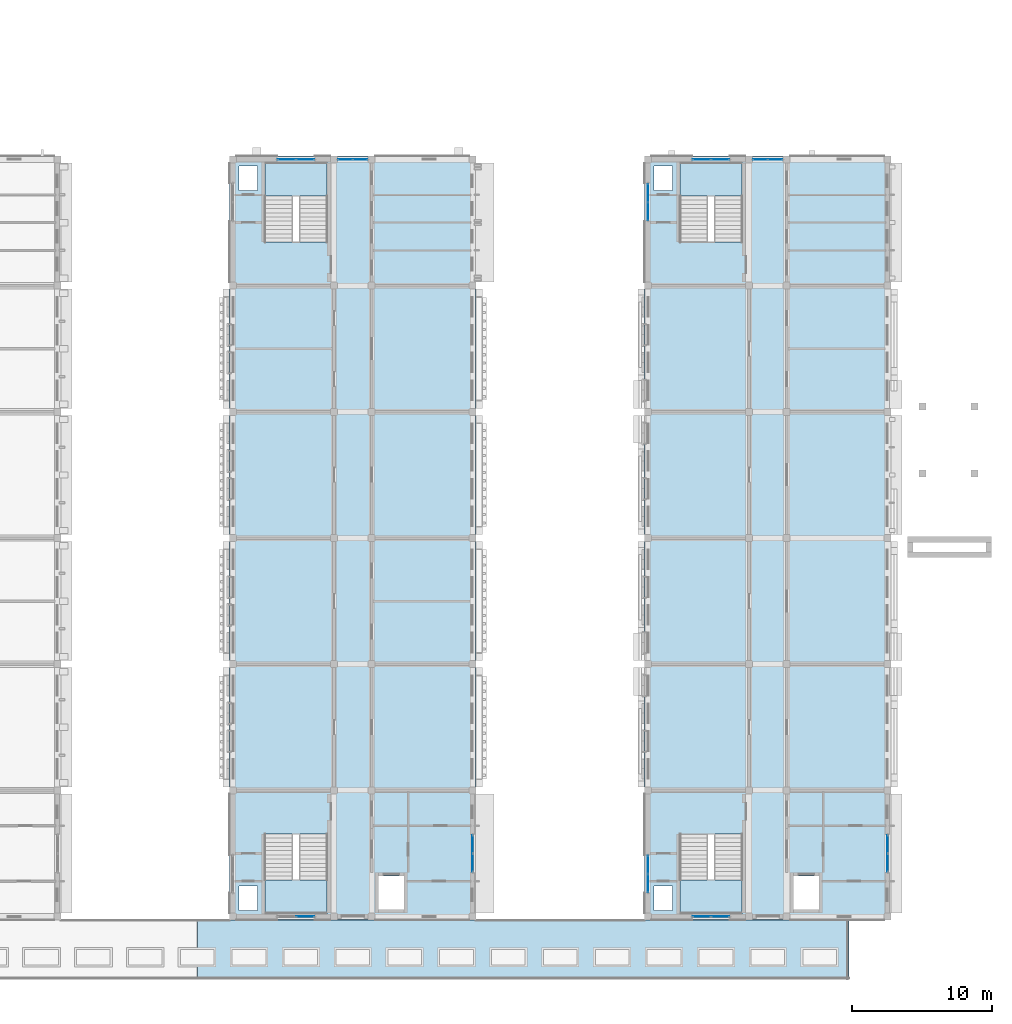
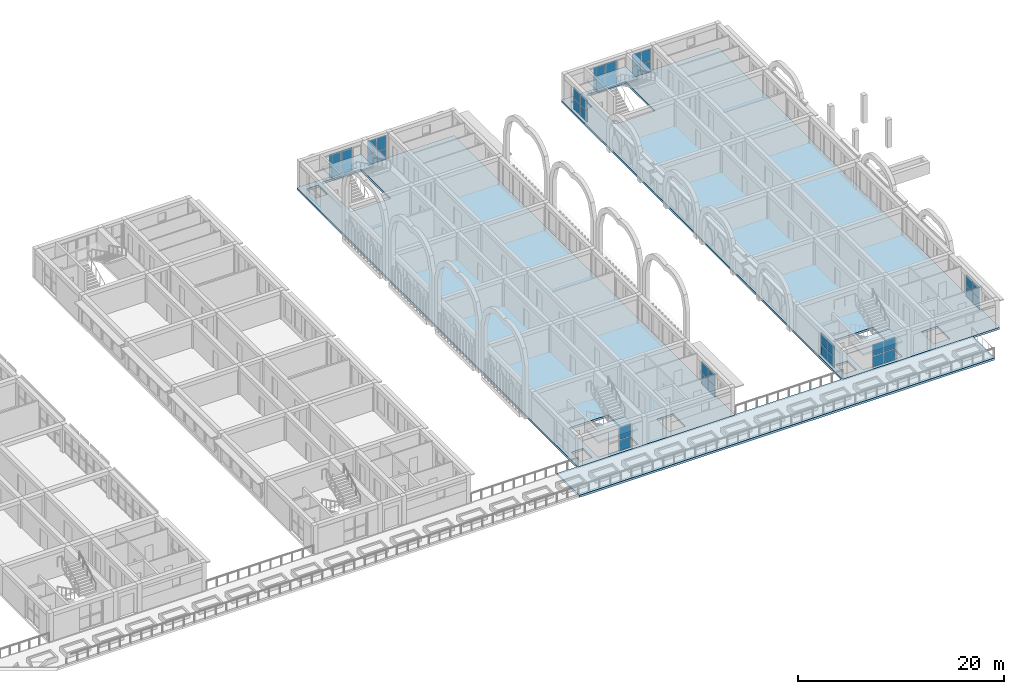
# One storey, part 41 of 82: 38 plates, 7 slabs, 14 elements without a shape of their own.
"""IFC4 building model written with IfcOpenShell, lengths in metres."""

from ifc_helpers import new_model, si_unit, direction, frame, origin, origin_2d, place, context, subcontext, project, spatial, polyline, rectangle, outline, extrude, material, layer, layer_set, type_object, element, aggregate, save


model = new_model("IFC4")

# Units and contexts
model_context = context("Model", 3, precision=1e-05, world=origin(), true_north=direction((0.0, 1.0)))
body_context = subcontext(model_context, "Body", "Model", "MODEL_VIEW")
ifc_project = project(units=[si_unit("LENGTHUNIT", "METRE"), si_unit("AREAUNIT", "SQUARE_METRE"), si_unit("VOLUMEUNIT", "CUBIC_METRE"), si_unit("PLANEANGLEUNIT", "RADIAN"), si_unit("MASSUNIT", "GRAM", prefix="KILO")], contexts=[model_context])

# Site, building, storey
site_placement = place(None, origin())
site = spatial("IfcSite", under=ifc_project, at=site_placement, CompositionType="ELEMENT")
building_placement = place(site_placement, origin())
building = spatial("IfcBuilding", under=site, at=building_placement, Name="Elbe Cascade School", CompositionType="ELEMENT")
storey_placement = place(building_placement, frame((0.0, 0.0, 4.5)))
storey = spatial("IfcBuildingStorey", under=building, at=storey_placement, Name="L01", CompositionType="ELEMENT", Elevation=4.5)

# Stair, slab
ifc_material_1 = material(Name="Concrete C30/37", Category="concrete")
stair_type = type_object("IfcStairType", Name="Bar stair RC 150", PredefinedType="HALF_TURN_STAIR", material=ifc_material_1)
stair_1_placement = place(storey_placement, origin())
stair_1 = element("IfcStair", 1, at=stair_1_placement, inside=storey, type_object=stair_type, Name="Stair C1.S", PredefinedType="HALF_TURN_STAIR")
ifc_material_2 = material(Name="Concrete C30/37", Category="concrete")
ifc_layer_1 = layer(ifc_material_2, 0.199951171875)
ifc_layer_set_1 = layer_set([ifc_layer_1], Name="Concrete C30/37")
slab_type_1 = type_object("IfcSlabType", Name="Bar stair landing RC 200", PredefinedType="LANDING", material=ifc_layer_set_1)
slab_1_placement = place(storey_placement, frame((0.0, 0.0, 1.60009765625)))
slab_1 = element("IfcSlab", 2, at=slab_1_placement, type_object=slab_type_1, Name="ST3 landing 1", PredefinedType="LANDING", context=body_context, shape_type="SweptSolid", body=[
    extrude(outline(polyline([(130.5, 6.179931640625), (134.89990234375, 6.179931640625), (134.89990234375, 8.60009765625), (130.5, 8.60009765625), (130.5, 6.179931640625)])), origin(), (0.0, 0.0, 1.0), 0.199951171875),
])
aggregate(stair_1, [slab_1])

stair_2_placement = place(storey_placement, origin())
stair_2 = element("IfcStair", 3, at=stair_2_placement, inside=storey, type_object=stair_type, Name="Stair C1.N", PredefinedType="HALF_TURN_STAIR")
slab_2_placement = place(storey_placement, frame((0.0, 0.0, 1.60009765625)))
slab_2 = element("IfcSlab", 4, at=slab_2_placement, type_object=slab_type_1, Name="ST3 landing 1", PredefinedType="LANDING", context=body_context, shape_type="SweptSolid", body=[
    extrude(outline(polyline([(130.5, 57.39990234375), (134.89990234375, 57.39990234375), (134.89990234375, 59.820068359375), (130.5, 59.820068359375), (130.5, 57.39990234375)])), origin(), (0.0, 0.0, 1.0), 0.199951171875),
])
aggregate(stair_2, [slab_2])

stair_3_placement = place(storey_placement, origin())
stair_3 = element("IfcStair", 5, at=stair_3_placement, inside=storey, type_object=stair_type, Name="Stair D1.S", PredefinedType="HALF_TURN_STAIR")
slab_3_placement = place(storey_placement, frame((0.0, 0.0, 1.60009765625)))
slab_3 = element("IfcSlab", 6, at=slab_3_placement, type_object=slab_type_1, Name="ST3 landing 1", PredefinedType="LANDING", context=body_context, shape_type="SweptSolid", body=[
    extrude(outline(polyline([(160.10009765625, 6.179931640625), (164.5, 6.179931640625), (164.5, 8.60009765625), (160.10009765625, 8.60009765625), (160.10009765625, 6.179931640625)])), origin(), (0.0, 0.0, 1.0), 0.199951171875),
])
aggregate(stair_3, [slab_3])

stair_4_placement = place(storey_placement, origin())
stair_4 = element("IfcStair", 7, at=stair_4_placement, inside=storey, type_object=stair_type, Name="Stair D1.N", PredefinedType="HALF_TURN_STAIR")
slab_4_placement = place(storey_placement, frame((0.0, 0.0, 1.60009765625)))
slab_4 = element("IfcSlab", 8, at=slab_4_placement, type_object=slab_type_1, Name="ST3 landing 1", PredefinedType="LANDING", context=body_context, shape_type="SweptSolid", body=[
    extrude(outline(polyline([(160.10009765625, 57.39990234375), (164.5, 57.39990234375), (164.5, 59.820068359375), (160.10009765625, 59.820068359375), (160.10009765625, 57.39990234375)])), origin(), (0.0, 0.0, 1.0), 0.199951171875),
])
aggregate(stair_4, [slab_4])

# Curtain wall, plates
ifc_material_3 = material(Name="Aluminium frame with double glazing, bronze anodised", Category="aluminium")
ifc_layer_2 = layer(ifc_material_3, 0.159912109375)
ifc_layer_set_2 = layer_set([ifc_layer_2], Name="Aluminium frame with double glazing, bronze anodised")
curtain_wall_type = type_object("IfcCurtainWallType", Name="Bars envelope Curtain wall, aluminium, bronze anodised, storey-high slot", PredefinedType="NOTDEFINED", material=ifc_layer_set_2)
curtain_wall_1_placement = place(storey_placement, origin())
curtain_wall_1 = element("IfcCurtainWall", 9, at=curtain_wall_1_placement, inside=storey, type_object=curtain_wall_type, Name="Curtain wall CW4 C.L01.e1", PredefinedType="NOTDEFINED")
ifc_material_4 = material(Name="Glass - double glazed low-E", Category="glass")
ifc_layer_3 = layer(ifc_material_4, 0.028076171875)
ifc_layer_set_3 = layer_set([ifc_layer_3], Name="Glass - double glazed low-E")
plate_type = type_object("IfcPlateType", Name="Bars envelope Curtain wall glazing panel 28 mm, double glazed, storey-high slot", PredefinedType="CURTAIN_PANEL", material=ifc_layer_set_3)
plate_1_placement = place(storey_placement, frame((145.300048828125, 11.159912109375, 0.06005859375), z_axis=(0.0, 0.0, 1.0), x_axis=(0.0, -1.0, 0.0)))
plate_1 = element("IfcPlate", 10, at=plate_1_placement, type_object=plate_type, Name="CW4 panel 1.1", PredefinedType="CURTAIN_PANEL", context=body_context, shape_type="SweptSolid", body=[
    extrude(rectangle(XDim=1.260009765625, YDim=0.028076171875, at=origin_2d()), origin(), (0.0, 0.0, 1.0), 1.260009765625),
])
plate_2_placement = place(storey_placement, frame((145.300048828125, 11.159912109375, 1.3798828125), z_axis=(0.0, 0.0, 1.0), x_axis=(0.0, -1.0, 0.0)))
plate_2 = element("IfcPlate", 11, at=plate_2_placement, type_object=plate_type, Name="CW4 panel 1.2", PredefinedType="CURTAIN_PANEL", context=body_context, shape_type="SweptSolid", body=[
    extrude(rectangle(XDim=1.260009765625, YDim=0.028076171875, at=origin_2d()), origin(), (0.0, 0.0, 1.0), 1.409912109375),
])
plate_3_placement = place(storey_placement, frame((145.300048828125, 9.840087890625, 0.06005859375), z_axis=(0.0, 0.0, 1.0), x_axis=(0.0, -1.0, 0.0)))
plate_3 = element("IfcPlate", 12, at=plate_3_placement, type_object=plate_type, Name="CW4 panel 2.1", PredefinedType="CURTAIN_PANEL", context=body_context, shape_type="SweptSolid", body=[
    extrude(rectangle(XDim=1.260009765625, YDim=0.028076171875, at=origin_2d()), origin(), (0.0, 0.0, 1.0), 1.260009765625),
])
plate_4_placement = place(storey_placement, frame((145.300048828125, 9.840087890625, 1.3798828125), z_axis=(0.0, 0.0, 1.0), x_axis=(0.0, -1.0, 0.0)))
plate_4 = element("IfcPlate", 13, at=plate_4_placement, type_object=plate_type, Name="CW4 panel 2.2", PredefinedType="CURTAIN_PANEL", context=body_context, shape_type="SweptSolid", body=[
    extrude(rectangle(XDim=1.260009765625, YDim=0.028076171875, at=origin_2d()), origin(), (0.0, 0.0, 1.0), 1.409912109375),
])
aggregate(curtain_wall_1, [plate_1, plate_2, plate_3, plate_4])

curtain_wall_2_placement = place(storey_placement, origin())
curtain_wall_2 = element("IfcCurtainWall", 14, at=curtain_wall_2_placement, inside=storey, type_object=curtain_wall_type, Name="Curtain wall CW4 C.L01.s1", PredefinedType="NOTDEFINED")
plate_5_placement = place(storey_placement, frame((133.360107421875, 6.0, 0.06005859375), z_axis=(0.0, 0.0, 1.0), x_axis=(-1.0, 0.0, 0.0)))
plate_5 = element("IfcPlate", 15, at=plate_5_placement, type_object=plate_type, Name="CW4 panel 1.1", PredefinedType="CURTAIN_PANEL", context=body_context, shape_type="SweptSolid", body=[
    extrude(rectangle(XDim=1.260009765625, YDim=0.028076171875, at=origin_2d()), origin(), (0.0, 0.0, 1.0), 1.260009765625),
])
plate_6_placement = place(storey_placement, frame((133.360107421875, 6.0, 1.380126953125), z_axis=(0.0, 0.0, 1.0), x_axis=(-1.0, 0.0, 0.0)))
plate_6 = element("IfcPlate", 16, at=plate_6_placement, type_object=plate_type, Name="CW4 panel 1.2", PredefinedType="CURTAIN_PANEL", context=body_context, shape_type="SweptSolid", body=[
    extrude(rectangle(XDim=1.260009765625, YDim=0.028076171875, at=origin_2d()), origin(), (0.0, 0.0, 1.0), 1.4599609375),
])
aggregate(curtain_wall_2, [plate_5, plate_6])

curtain_wall_3_placement = place(storey_placement, origin())
curtain_wall_3 = element("IfcCurtainWall", 17, at=curtain_wall_3_placement, inside=storey, type_object=curtain_wall_type, Name="Curtain wall CW4 C.L01.n1", PredefinedType="NOTDEFINED")
plate_7_placement = place(storey_placement, frame((132.0400390625, 60.0, 0.06005859375), z_axis=(0.0, 0.0, 1.0), x_axis=(1.0, 0.0, 0.0)))
plate_7 = element("IfcPlate", 18, at=plate_7_placement, type_object=plate_type, Name="CW4 panel 1.1", PredefinedType="CURTAIN_PANEL", context=body_context, shape_type="SweptSolid", body=[
    extrude(rectangle(XDim=1.260009765625, YDim=0.028076171875, at=origin_2d()), origin(), (0.0, 0.0, 1.0), 1.260009765625),
])
plate_8_placement = place(storey_placement, frame((132.0400390625, 60.0, 1.380126953125), z_axis=(0.0, 0.0, 1.0), x_axis=(1.0, 0.0, 0.0)))
plate_8 = element("IfcPlate", 19, at=plate_8_placement, type_object=plate_type, Name="CW4 panel 1.2", PredefinedType="CURTAIN_PANEL", context=body_context, shape_type="SweptSolid", body=[
    extrude(rectangle(XDim=1.260009765625, YDim=0.028076171875, at=origin_2d()), origin(), (0.0, 0.0, 1.0), 1.4599609375),
])
plate_9_placement = place(storey_placement, frame((133.360107421875, 60.0, 0.06005859375), z_axis=(0.0, 0.0, 1.0), x_axis=(1.0, 0.0, 0.0)))
plate_9 = element("IfcPlate", 20, at=plate_9_placement, type_object=plate_type, Name="CW4 panel 2.1", PredefinedType="CURTAIN_PANEL", context=body_context, shape_type="SweptSolid", body=[
    extrude(rectangle(XDim=1.260009765625, YDim=0.028076171875, at=origin_2d()), origin(), (0.0, 0.0, 1.0), 1.260009765625),
])
plate_10_placement = place(storey_placement, frame((133.360107421875, 60.0, 1.380126953125), z_axis=(0.0, 0.0, 1.0), x_axis=(1.0, 0.0, 0.0)))
plate_10 = element("IfcPlate", 21, at=plate_10_placement, type_object=plate_type, Name="CW4 panel 2.2", PredefinedType="CURTAIN_PANEL", context=body_context, shape_type="SweptSolid", body=[
    extrude(rectangle(XDim=1.260009765625, YDim=0.028076171875, at=origin_2d()), origin(), (0.0, 0.0, 1.0), 1.4599609375),
])
aggregate(curtain_wall_3, [plate_7, plate_8, plate_9, plate_10])

curtain_wall_4_placement = place(storey_placement, origin())
curtain_wall_4 = element("IfcCurtainWall", 22, at=curtain_wall_4_placement, inside=storey, type_object=curtain_wall_type, Name="Curtain wall CW4 C.L01.n2", PredefinedType="NOTDEFINED")
plate_11_placement = place(storey_placement, frame((136.215087890625, 60.0, 0.06005859375), z_axis=(0.0, 0.0, 1.0), x_axis=(1.0, 0.0, 0.0)))
plate_11 = element("IfcPlate", 23, at=plate_11_placement, type_object=plate_type, Name="CW4 panel 1.1", PredefinedType="CURTAIN_PANEL", context=body_context, shape_type="SweptSolid", body=[
    extrude(rectangle(XDim=1.010009765625, YDim=0.028076171875, at=origin_2d()), origin(), (0.0, 0.0, 1.0), 1.260009765625),
])
plate_12_placement = place(storey_placement, frame((136.215087890625, 60.0, 1.3798828125), z_axis=(0.0, 0.0, 1.0), x_axis=(1.0, 0.0, 0.0)))
plate_12 = element("IfcPlate", 24, at=plate_12_placement, type_object=plate_type, Name="CW4 panel 1.2", PredefinedType="CURTAIN_PANEL", context=body_context, shape_type="SweptSolid", body=[
    extrude(rectangle(XDim=1.010009765625, YDim=0.028076171875, at=origin_2d()), origin(), (0.0, 0.0, 1.0), 1.56005859375),
])
plate_13_placement = place(storey_placement, frame((137.284912109375, 60.0, 0.06005859375), z_axis=(0.0, 0.0, 1.0), x_axis=(1.0, 0.0, 0.0)))
plate_13 = element("IfcPlate", 25, at=plate_13_placement, type_object=plate_type, Name="CW4 panel 2.1", PredefinedType="CURTAIN_PANEL", context=body_context, shape_type="SweptSolid", body=[
    extrude(rectangle(XDim=1.010009765625, YDim=0.028076171875, at=origin_2d()), origin(), (0.0, 0.0, 1.0), 1.260009765625),
])
plate_14_placement = place(storey_placement, frame((137.284912109375, 60.0, 1.3798828125), z_axis=(0.0, 0.0, 1.0), x_axis=(1.0, 0.0, 0.0)))
plate_14 = element("IfcPlate", 26, at=plate_14_placement, type_object=plate_type, Name="CW4 panel 2.2", PredefinedType="CURTAIN_PANEL", context=body_context, shape_type="SweptSolid", body=[
    extrude(rectangle(XDim=1.010009765625, YDim=0.028076171875, at=origin_2d()), origin(), (0.0, 0.0, 1.0), 1.56005859375),
])
aggregate(curtain_wall_4, [plate_11, plate_12, plate_13, plate_14])

curtain_wall_5_placement = place(storey_placement, origin())
curtain_wall_5 = element("IfcCurtainWall", 27, at=curtain_wall_5_placement, inside=storey, type_object=curtain_wall_type, Name="Curtain wall CW4 D.L01.w1", PredefinedType="NOTDEFINED")
plate_15_placement = place(storey_placement, frame((157.800048828125, 8.3798828125, 0.06005859375), z_axis=(0.0, 0.0, 1.0), x_axis=(0.0, 1.0, 0.0)))
plate_15 = element("IfcPlate", 28, at=plate_15_placement, type_object=plate_type, Name="CW4 panel 1.1", PredefinedType="CURTAIN_PANEL", context=body_context, shape_type="SweptSolid", body=[
    extrude(rectangle(XDim=1.260009765625, YDim=0.028076171875, at=origin_2d()), origin(), (0.0, 0.0, 1.0), 1.260009765625),
])
plate_16_placement = place(storey_placement, frame((157.800048828125, 8.3798828125, 1.3798828125), z_axis=(0.0, 0.0, 1.0), x_axis=(0.0, 1.0, 0.0)))
plate_16 = element("IfcPlate", 29, at=plate_16_placement, type_object=plate_type, Name="CW4 panel 1.2", PredefinedType="CURTAIN_PANEL", context=body_context, shape_type="SweptSolid", body=[
    extrude(rectangle(XDim=1.260009765625, YDim=0.028076171875, at=origin_2d()), origin(), (0.0, 0.0, 1.0), 1.31005859375),
])
plate_17_placement = place(storey_placement, frame((157.800048828125, 9.699951171875, 0.06005859375), z_axis=(0.0, 0.0, 1.0), x_axis=(0.0, 1.0, 0.0)))
plate_17 = element("IfcPlate", 30, at=plate_17_placement, type_object=plate_type, Name="CW4 panel 2.1", PredefinedType="CURTAIN_PANEL", context=body_context, shape_type="SweptSolid", body=[
    extrude(rectangle(XDim=1.260009765625, YDim=0.028076171875, at=origin_2d()), origin(), (0.0, 0.0, 1.0), 1.260009765625),
])
plate_18_placement = place(storey_placement, frame((157.800048828125, 9.699951171875, 1.3798828125), z_axis=(0.0, 0.0, 1.0), x_axis=(0.0, 1.0, 0.0)))
plate_18 = element("IfcPlate", 31, at=plate_18_placement, type_object=plate_type, Name="CW4 panel 2.2", PredefinedType="CURTAIN_PANEL", context=body_context, shape_type="SweptSolid", body=[
    extrude(rectangle(XDim=1.260009765625, YDim=0.028076171875, at=origin_2d()), origin(), (0.0, 0.0, 1.0), 1.31005859375),
])
aggregate(curtain_wall_5, [plate_15, plate_16, plate_17, plate_18])

curtain_wall_6_placement = place(storey_placement, origin())
curtain_wall_6 = element("IfcCurtainWall", 32, at=curtain_wall_6_placement, inside=storey, type_object=curtain_wall_type, Name="Curtain wall CW4 D.L01.w6", PredefinedType="NOTDEFINED")
plate_19_placement = place(storey_placement, frame((157.800048828125, 56.300048828125, 0.06005859375), z_axis=(0.0, 0.0, 1.0), x_axis=(0.0, 1.0, 0.0)))
plate_19 = element("IfcPlate", 33, at=plate_19_placement, type_object=plate_type, Name="CW4 panel 1.1", PredefinedType="CURTAIN_PANEL", context=body_context, shape_type="SweptSolid", body=[
    extrude(rectangle(XDim=1.260009765625, YDim=0.028076171875, at=origin_2d()), origin(), (0.0, 0.0, 1.0), 1.260009765625),
])
plate_20_placement = place(storey_placement, frame((157.800048828125, 56.300048828125, 1.3798828125), z_axis=(0.0, 0.0, 1.0), x_axis=(0.0, 1.0, 0.0)))
plate_20 = element("IfcPlate", 34, at=plate_20_placement, type_object=plate_type, Name="CW4 panel 1.2", PredefinedType="CURTAIN_PANEL", context=body_context, shape_type="SweptSolid", body=[
    extrude(rectangle(XDim=1.260009765625, YDim=0.028076171875, at=origin_2d()), origin(), (0.0, 0.0, 1.0), 1.31005859375),
])
plate_21_placement = place(storey_placement, frame((157.800048828125, 57.6201171875, 0.06005859375), z_axis=(0.0, 0.0, 1.0), x_axis=(0.0, 1.0, 0.0)))
plate_21 = element("IfcPlate", 35, at=plate_21_placement, type_object=plate_type, Name="CW4 panel 2.1", PredefinedType="CURTAIN_PANEL", context=body_context, shape_type="SweptSolid", body=[
    extrude(rectangle(XDim=1.260009765625, YDim=0.028076171875, at=origin_2d()), origin(), (0.0, 0.0, 1.0), 1.260009765625),
])
plate_22_placement = place(storey_placement, frame((157.800048828125, 57.6201171875, 1.3798828125), z_axis=(0.0, 0.0, 1.0), x_axis=(0.0, 1.0, 0.0)))
plate_22 = element("IfcPlate", 36, at=plate_22_placement, type_object=plate_type, Name="CW4 panel 2.2", PredefinedType="CURTAIN_PANEL", context=body_context, shape_type="SweptSolid", body=[
    extrude(rectangle(XDim=1.260009765625, YDim=0.028076171875, at=origin_2d()), origin(), (0.0, 0.0, 1.0), 1.31005859375),
])
aggregate(curtain_wall_6, [plate_19, plate_20, plate_21, plate_22])

curtain_wall_7_placement = place(storey_placement, origin())
curtain_wall_7 = element("IfcCurtainWall", 37, at=curtain_wall_7_placement, inside=storey, type_object=curtain_wall_type, Name="Curtain wall CW4 D.L01.e1", PredefinedType="NOTDEFINED")
plate_23_placement = place(storey_placement, frame((174.89990234375, 11.159912109375, 0.06005859375), z_axis=(0.0, 0.0, 1.0), x_axis=(0.0, -1.0, 0.0)))
plate_23 = element("IfcPlate", 38, at=plate_23_placement, type_object=plate_type, Name="CW4 panel 1.1", PredefinedType="CURTAIN_PANEL", context=body_context, shape_type="SweptSolid", body=[
    extrude(rectangle(XDim=1.260009765625, YDim=0.028076171875, at=origin_2d()), origin(), (0.0, 0.0, 1.0), 1.260009765625),
])
plate_24_placement = place(storey_placement, frame((174.89990234375, 11.159912109375, 1.3798828125), z_axis=(0.0, 0.0, 1.0), x_axis=(0.0, -1.0, 0.0)))
plate_24 = element("IfcPlate", 39, at=plate_24_placement, type_object=plate_type, Name="CW4 panel 1.2", PredefinedType="CURTAIN_PANEL", context=body_context, shape_type="SweptSolid", body=[
    extrude(rectangle(XDim=1.260009765625, YDim=0.028076171875, at=origin_2d()), origin(), (0.0, 0.0, 1.0), 1.31005859375),
])
plate_25_placement = place(storey_placement, frame((174.89990234375, 9.840087890625, 0.06005859375), z_axis=(0.0, 0.0, 1.0), x_axis=(0.0, -1.0, 0.0)))
plate_25 = element("IfcPlate", 40, at=plate_25_placement, type_object=plate_type, Name="CW4 panel 2.1", PredefinedType="CURTAIN_PANEL", context=body_context, shape_type="SweptSolid", body=[
    extrude(rectangle(XDim=1.260009765625, YDim=0.028076171875, at=origin_2d()), origin(), (0.0, 0.0, 1.0), 1.260009765625),
])
plate_26_placement = place(storey_placement, frame((174.89990234375, 9.840087890625, 1.3798828125), z_axis=(0.0, 0.0, 1.0), x_axis=(0.0, -1.0, 0.0)))
plate_26 = element("IfcPlate", 41, at=plate_26_placement, type_object=plate_type, Name="CW4 panel 2.2", PredefinedType="CURTAIN_PANEL", context=body_context, shape_type="SweptSolid", body=[
    extrude(rectangle(XDim=1.260009765625, YDim=0.028076171875, at=origin_2d()), origin(), (0.0, 0.0, 1.0), 1.31005859375),
])
aggregate(curtain_wall_7, [plate_23, plate_24, plate_25, plate_26])

curtain_wall_8_placement = place(storey_placement, origin())
curtain_wall_8 = element("IfcCurtainWall", 42, at=curtain_wall_8_placement, inside=storey, type_object=curtain_wall_type, Name="Curtain wall CW4 D.L01.s1", PredefinedType="NOTDEFINED")
plate_27_placement = place(storey_placement, frame((162.9599609375, 6.0, 0.06005859375), z_axis=(0.0, 0.0, 1.0), x_axis=(-1.0, 0.0, 0.0)))
plate_27 = element("IfcPlate", 43, at=plate_27_placement, type_object=plate_type, Name="CW4 panel 1.1", PredefinedType="CURTAIN_PANEL", context=body_context, shape_type="SweptSolid", body=[
    extrude(rectangle(XDim=1.260009765625, YDim=0.028076171875, at=origin_2d()), origin(), (0.0, 0.0, 1.0), 1.260009765625),
])
plate_28_placement = place(storey_placement, frame((162.9599609375, 6.0, 1.3798828125), z_axis=(0.0, 0.0, 1.0), x_axis=(-1.0, 0.0, 0.0)))
plate_28 = element("IfcPlate", 44, at=plate_28_placement, type_object=plate_type, Name="CW4 panel 1.2", PredefinedType="CURTAIN_PANEL", context=body_context, shape_type="SweptSolid", body=[
    extrude(rectangle(XDim=1.260009765625, YDim=0.028076171875, at=origin_2d()), origin(), (0.0, 0.0, 1.0), 1.360107421875),
])
plate_29_placement = place(storey_placement, frame((161.639892578125, 6.0, 0.06005859375), z_axis=(0.0, 0.0, 1.0), x_axis=(-1.0, 0.0, 0.0)))
plate_29 = element("IfcPlate", 45, at=plate_29_placement, type_object=plate_type, Name="CW4 panel 2.1", PredefinedType="CURTAIN_PANEL", context=body_context, shape_type="SweptSolid", body=[
    extrude(rectangle(XDim=1.260009765625, YDim=0.028076171875, at=origin_2d()), origin(), (0.0, 0.0, 1.0), 1.260009765625),
])
plate_30_placement = place(storey_placement, frame((161.639892578125, 6.0, 1.3798828125), z_axis=(0.0, 0.0, 1.0), x_axis=(-1.0, 0.0, 0.0)))
plate_30 = element("IfcPlate", 46, at=plate_30_placement, type_object=plate_type, Name="CW4 panel 2.2", PredefinedType="CURTAIN_PANEL", context=body_context, shape_type="SweptSolid", body=[
    extrude(rectangle(XDim=1.260009765625, YDim=0.028076171875, at=origin_2d()), origin(), (0.0, 0.0, 1.0), 1.360107421875),
])
aggregate(curtain_wall_8, [plate_27, plate_28, plate_29, plate_30])

curtain_wall_9_placement = place(storey_placement, origin())
curtain_wall_9 = element("IfcCurtainWall", 47, at=curtain_wall_9_placement, inside=storey, type_object=curtain_wall_type, Name="Curtain wall CW4 D.L01.n1", PredefinedType="NOTDEFINED")
plate_31_placement = place(storey_placement, frame((161.639892578125, 60.0, 0.06005859375), z_axis=(0.0, 0.0, 1.0), x_axis=(1.0, 0.0, 0.0)))
plate_31 = element("IfcPlate", 48, at=plate_31_placement, type_object=plate_type, Name="CW4 panel 1.1", PredefinedType="CURTAIN_PANEL", context=body_context, shape_type="SweptSolid", body=[
    extrude(rectangle(XDim=1.260009765625, YDim=0.028076171875, at=origin_2d()), origin(), (0.0, 0.0, 1.0), 1.260009765625),
])
plate_32_placement = place(storey_placement, frame((161.639892578125, 60.0, 1.3798828125), z_axis=(0.0, 0.0, 1.0), x_axis=(1.0, 0.0, 0.0)))
plate_32 = element("IfcPlate", 49, at=plate_32_placement, type_object=plate_type, Name="CW4 panel 1.2", PredefinedType="CURTAIN_PANEL", context=body_context, shape_type="SweptSolid", body=[
    extrude(rectangle(XDim=1.260009765625, YDim=0.028076171875, at=origin_2d()), origin(), (0.0, 0.0, 1.0), 1.360107421875),
])
plate_33_placement = place(storey_placement, frame((162.9599609375, 60.0, 0.06005859375), z_axis=(0.0, 0.0, 1.0), x_axis=(1.0, 0.0, 0.0)))
plate_33 = element("IfcPlate", 50, at=plate_33_placement, type_object=plate_type, Name="CW4 panel 2.1", PredefinedType="CURTAIN_PANEL", context=body_context, shape_type="SweptSolid", body=[
    extrude(rectangle(XDim=1.260009765625, YDim=0.028076171875, at=origin_2d()), origin(), (0.0, 0.0, 1.0), 1.260009765625),
])
plate_34_placement = place(storey_placement, frame((162.9599609375, 60.0, 1.3798828125), z_axis=(0.0, 0.0, 1.0), x_axis=(1.0, 0.0, 0.0)))
plate_34 = element("IfcPlate", 51, at=plate_34_placement, type_object=plate_type, Name="CW4 panel 2.2", PredefinedType="CURTAIN_PANEL", context=body_context, shape_type="SweptSolid", body=[
    extrude(rectangle(XDim=1.260009765625, YDim=0.028076171875, at=origin_2d()), origin(), (0.0, 0.0, 1.0), 1.360107421875),
])
aggregate(curtain_wall_9, [plate_31, plate_32, plate_33, plate_34])

curtain_wall_10_placement = place(storey_placement, origin())
curtain_wall_10 = element("IfcCurtainWall", 52, at=curtain_wall_10_placement, inside=storey, type_object=curtain_wall_type, Name="Curtain wall CW4 D.L01.n2", PredefinedType="NOTDEFINED")
plate_35_placement = place(storey_placement, frame((165.81494140625, 60.0, 0.06005859375), z_axis=(0.0, 0.0, 1.0), x_axis=(1.0, 0.0, 0.0)))
plate_35 = element("IfcPlate", 53, at=plate_35_placement, type_object=plate_type, Name="CW4 panel 1.1", PredefinedType="CURTAIN_PANEL", context=body_context, shape_type="SweptSolid", body=[
    extrude(rectangle(XDim=1.010009765625, YDim=0.028076171875, at=origin_2d()), origin(), (0.0, 0.0, 1.0), 1.260009765625),
])
plate_36_placement = place(storey_placement, frame((165.81494140625, 60.0, 1.380126953125), z_axis=(0.0, 0.0, 1.0), x_axis=(1.0, 0.0, 0.0)))
plate_36 = element("IfcPlate", 54, at=plate_36_placement, type_object=plate_type, Name="CW4 panel 1.2", PredefinedType="CURTAIN_PANEL", context=body_context, shape_type="SweptSolid", body=[
    extrude(rectangle(XDim=1.010009765625, YDim=0.028076171875, at=origin_2d()), origin(), (0.0, 0.0, 1.0), 1.4599609375),
])
plate_37_placement = place(storey_placement, frame((166.885009765625, 60.0, 0.06005859375), z_axis=(0.0, 0.0, 1.0), x_axis=(1.0, 0.0, 0.0)))
plate_37 = element("IfcPlate", 55, at=plate_37_placement, type_object=plate_type, Name="CW4 panel 2.1", PredefinedType="CURTAIN_PANEL", context=body_context, shape_type="SweptSolid", body=[
    extrude(rectangle(XDim=1.010009765625, YDim=0.028076171875, at=origin_2d()), origin(), (0.0, 0.0, 1.0), 1.260009765625),
])
plate_38_placement = place(storey_placement, frame((166.885009765625, 60.0, 1.380126953125), z_axis=(0.0, 0.0, 1.0), x_axis=(1.0, 0.0, 0.0)))
plate_38 = element("IfcPlate", 56, at=plate_38_placement, type_object=plate_type, Name="CW4 panel 2.2", PredefinedType="CURTAIN_PANEL", context=body_context, shape_type="SweptSolid", body=[
    extrude(rectangle(XDim=1.010009765625, YDim=0.028076171875, at=origin_2d()), origin(), (0.0, 0.0, 1.0), 1.4599609375),
])
aggregate(curtain_wall_10, [plate_35, plate_36, plate_37, plate_38])

# Slabs
ifc_material_5 = material(Name="Concrete C35/45", Category="concrete")
ifc_layer_4 = layer(ifc_material_5, 0.25)
ifc_layer_set_4 = layer_set([ifc_layer_4], Name="Concrete C35/45")
slab_type_2 = type_object("IfcSlabType", Name="Colonnade roof slab 250", PredefinedType="ROOF", material=ifc_layer_set_4)
slab_5_placement = place(storey_placement, frame((0.0, 0.0, -0.25)))
element("IfcSlab", 57, at=slab_5_placement, inside=storey, type_object=slab_type_2, Name="Colonnade roof slab 2.3", PredefinedType="ROOF", context=body_context, shape_type="SweptSolid", body=[
    extrude(outline(polyline([(172.125, 1.5), (172.125, 5.75), (157.550048828125, 5.75), (157.550048828125, 5.820068359375), (145.550048828125, 5.820068359375), (145.550048828125, 5.75), (127.949951171875, 5.75), (127.949951171875, 5.820068359375), (125.659912109375, 5.820068359375), (125.659912109375, 1.5), (172.125, 1.5)])), origin(), (0.0, 0.0, 1.0), 0.25),
])
ifc_material_6 = material(Name="Concrete C30/37", Category="concrete")
ifc_layer_5 = layer(ifc_material_6, 0.25)
ifc_layer_set_5 = layer_set([ifc_layer_5], Name="Concrete C30/37")
slab_type_3 = type_object("IfcSlabType", Name="Floor slab 250", PredefinedType="FLOOR", material=ifc_layer_set_5)
slab_6_placement = place(storey_placement, frame((0.0, 0.0, -0.25)))
element("IfcSlab", 58, at=slab_6_placement, inside=storey, type_object=slab_type_3, Name="Floor slab 250 S2", PredefinedType="FLOOR", context=body_context, shape_type="SweptSolid", body=[
    extrude(outline(polyline([(127.949951171875, 5.75), (145.550048828125, 5.75), (145.550048828125, 60.25), (127.949951171875, 60.25), (127.949951171875, 5.75)]), holes=[polyline([(130.5, 6.179931640625), (134.89990234375, 6.179931640625), (134.89990234375, 11.8798828125), (130.5, 11.8798828125), (130.5, 6.179931640625)]), polyline([(138.60009765625, 6.5), (140.39990234375, 6.5), (140.39990234375, 8.89990234375), (138.60009765625, 8.89990234375), (138.60009765625, 6.5)]), polyline([(130.5, 54.1201171875), (134.89990234375, 54.1201171875), (134.89990234375, 59.820068359375), (130.5, 59.820068359375), (130.5, 54.1201171875)]), polyline([(128.64990234375, 6.449951171875), (129.949951171875, 6.449951171875), (129.949951171875, 8.199951171875), (128.64990234375, 8.199951171875), (128.64990234375, 6.449951171875)]), polyline([(128.64990234375, 57.800048828125), (129.949951171875, 57.800048828125), (129.949951171875, 59.550048828125), (128.64990234375, 59.550048828125), (128.64990234375, 57.800048828125)])]), origin(), (0.0, 0.0, 1.0), 0.25),
])
slab_7_placement = place(storey_placement, frame((0.0, 0.0, -0.25)))
element("IfcSlab", 59, at=slab_7_placement, inside=storey, type_object=slab_type_3, Name="Floor slab 250 S2", PredefinedType="FLOOR", context=body_context, shape_type="SweptSolid", body=[
    extrude(outline(polyline([(157.550048828125, 5.75), (175.14990234375, 5.75), (175.14990234375, 60.25), (157.550048828125, 60.25), (157.550048828125, 5.75)]), holes=[polyline([(160.10009765625, 6.179931640625), (164.5, 6.179931640625), (164.5, 11.8798828125), (160.10009765625, 11.8798828125), (160.10009765625, 6.179931640625)]), polyline([(168.199951171875, 6.5), (170.0, 6.5), (170.0, 8.89990234375), (168.199951171875, 8.89990234375), (168.199951171875, 6.5)]), polyline([(160.10009765625, 54.1201171875), (164.5, 54.1201171875), (164.5, 59.820068359375), (160.10009765625, 59.820068359375), (160.10009765625, 54.1201171875)]), polyline([(158.25, 6.449951171875), (159.550048828125, 6.449951171875), (159.550048828125, 8.199951171875), (158.25, 8.199951171875), (158.25, 6.449951171875)]), polyline([(158.25, 57.800048828125), (159.550048828125, 57.800048828125), (159.550048828125, 59.550048828125), (158.25, 59.550048828125), (158.25, 57.800048828125)])]), origin(), (0.0, 0.0, 1.0), 0.25),
])

save(model, "model.ifc")
